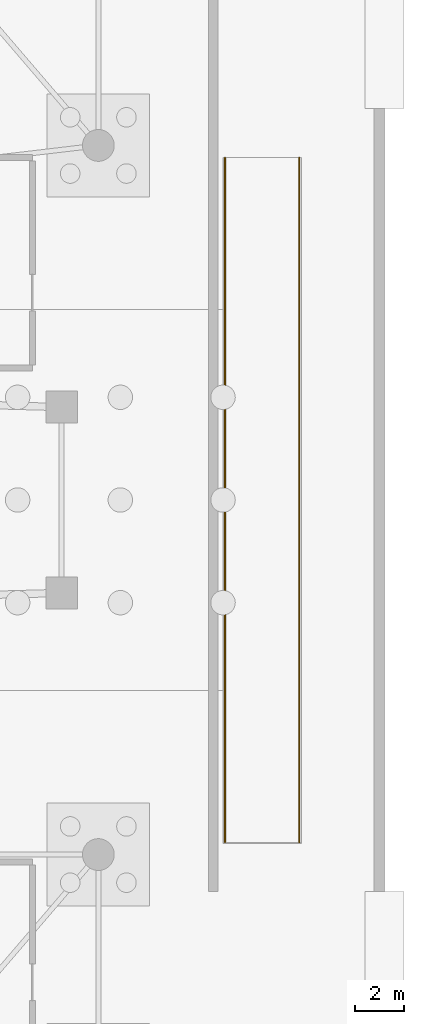
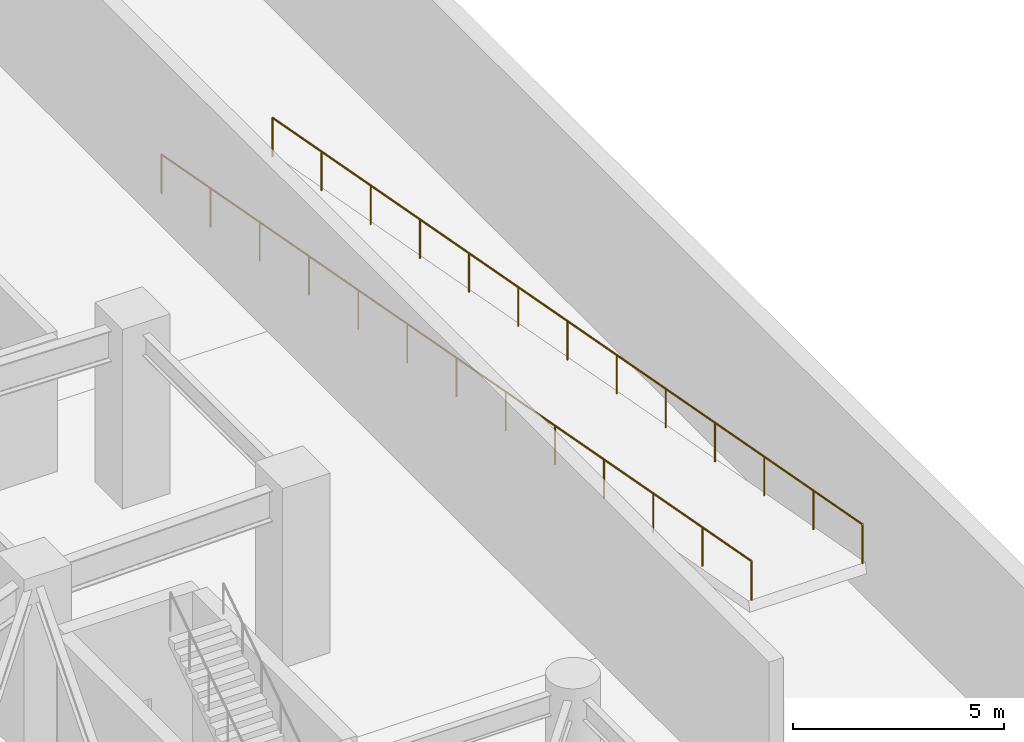
# One storey, part 13 of 14: 2 railings.
"""IFC4 building model written with IfcOpenShell, lengths in metres."""

import ifcopenshell
import ifcopenshell.guid

model = None  # the IFC model being written
_history = None  # IfcOwnerHistory: only IFC2X3 demands one
_inside = {}  # id of a spatial element -> (the spatial element, [elements in it])
_under = {}  # id of a project, library or spatial element -> (it, [spatial elements below it])
_declared = {}  # id of a project -> (the project, [libraries it declares])
_typed = {}  # id of a type object -> (the type object, [elements of that type])
_made_of = {}  # id of a material, layer set ... -> (it, [elements and type objects made of it])


def new_model(schema):
    """Start an empty IFC model of exactly this schema.

    Asked for "IFC4X3", IfcOpenShell would pick the latest addendum, in which some entities
    have other attributes; the version numbers below select the first issue.
    IFC2X3 requires an IfcOwnerHistory on every rooted entity: one is made here for all.
    """
    global model, _history
    if schema == "IFC4X3":
        model = ifcopenshell.file(schema_version=(4, 3, 0, 0))
    else:
        model = ifcopenshell.file(schema=schema)
    _inside.clear()
    _under.clear()
    _declared.clear()
    _typed.clear()
    _made_of.clear()
    _history = None
    if model.schema == "IFC2X3":
        org = make("IfcOrganization", Name="unknown")
        user = make(
            "IfcPersonAndOrganization",
            ThePerson=make("IfcPerson", FamilyName="unknown"),
            TheOrganization=org,
        )
        app = make(
            "IfcApplication",
            ApplicationDeveloper=org,
            Version="unknown",
            ApplicationFullName="unknown",
            ApplicationIdentifier="unknown",
        )
        _history = make(
            "IfcOwnerHistory",
            OwningUser=user,
            OwningApplication=app,
            ChangeAction="ADDED",
            CreationDate=0,
        )
    return model


def make(cls, **values):
    """One entity of the class cls with the attributes given. An attribute that is None is left unset."""
    return model.create_entity(
        cls, **{name: value for name, value in values.items() if value is not None}
    )


def rooted(cls, **values):
    """An entity with a GlobalId (a new one), such as an element, a storey or a relation."""
    return make(cls, GlobalId=ifcopenshell.guid.new(), OwnerHistory=_history, **values)


def si_unit(unit_type, name, prefix=None):
    """IfcSIUnit, for example si_unit("LENGTHUNIT", "METRE", prefix="MILLI")."""
    return make("IfcSIUnit", UnitType=unit_type, Prefix=prefix, Name=name)


def assignment(units):
    """IfcUnitAssignment: the units of a project."""
    return None if units is None else make("IfcUnitAssignment", Units=units)


def point(xyz):
    """IfcCartesianPoint."""
    return None if xyz is None else make("IfcCartesianPoint", Coordinates=xyz)


def direction(xyz):
    """IfcDirection."""
    return None if xyz is None else make("IfcDirection", DirectionRatios=xyz)


def frame(location, z_axis=None, x_axis=None):
    """IfcAxis2Placement3D, a coordinate frame: its origin and axes. An axis left out is left unset."""
    return make(
        "IfcAxis2Placement3D",
        Location=point(location),
        Axis=direction(z_axis),
        RefDirection=direction(x_axis),
    )


def frame_2d(location, x_axis=None):
    """IfcAxis2Placement2D, a coordinate frame in the plane: its origin and x axis."""
    return make(
        "IfcAxis2Placement2D", Location=point(location), RefDirection=direction(x_axis)
    )


def origin():
    """The frame at (0, 0, 0) with its axes left unset."""
    return frame((0.0, 0.0, 0.0))


def origin_2d():
    """The frame at (0, 0) in the plane with its x axis left unset."""
    return frame_2d((0.0, 0.0))


def place(relative_to, where):
    """IfcLocalPlacement: puts the frame where relative to a parent placement (None: the world)."""
    return make(
        "IfcLocalPlacement", PlacementRelTo=relative_to, RelativePlacement=where
    )


def context(
    kind, dimensions, precision=None, world=None, true_north=None, identifier=None
):
    """IfcGeometricRepresentationContext, for example the 3D "Model" context."""
    return make(
        "IfcGeometricRepresentationContext",
        ContextIdentifier=identifier,
        ContextType=kind,
        CoordinateSpaceDimension=dimensions,
        Precision=precision,
        WorldCoordinateSystem=world,
        TrueNorth=true_north,
    )


def subcontext(parent, identifier, kind, view, scale=None):
    """IfcGeometricRepresentationSubContext, for example "Body" below "Model"."""
    return make(
        "IfcGeometricRepresentationSubContext",
        ContextIdentifier=identifier,
        ContextType=kind,
        ParentContext=parent,
        TargetScale=scale,
        TargetView=view,
    )


def project(units=None, contexts=None):
    """IfcProject with its units and contexts."""
    return rooted(
        "IfcProject",
        Name="project",
        RepresentationContexts=contexts,
        UnitsInContext=assignment(units),
    )


def spatial(cls, under=None, at=None, **own):
    """A site, building, storey or space (cls), placed at a placement, below another one or the project."""
    s = rooted(cls, ObjectPlacement=at, **own)
    if under is not None:
        _under.setdefault(under.id(), (under, []))[1].append(s)
    return s


def profile(cls, at=None, kind="AREA", **sizes):
    """A parametric profile (cls). Its sizes go by their IFC names, for example OverallWidth=200.0."""
    return make(cls, ProfileType=kind, Position=at, **sizes)


def circle(**sizes):
    """IfcCircleProfileDef."""
    return profile("IfcCircleProfileDef", **sizes)


def extrude(swept, where, along, depth):
    """IfcExtrudedAreaSolid: the profile swept, set in the frame where, extruded along a direction by depth."""
    return make(
        "IfcExtrudedAreaSolid",
        SweptArea=swept,
        Position=where,
        ExtrudedDirection=direction(along),
        Depth=depth,
    )


def shape(context_of_items, identifier, shape_type, items):
    """IfcShapeRepresentation: the items that make up one representation, for example the "Body"."""
    return make(
        "IfcShapeRepresentation",
        ContextOfItems=context_of_items,
        RepresentationIdentifier=identifier,
        RepresentationType=shape_type,
        Items=items,
    )


def material(Name=None, Category=None):
    """IfcMaterial."""
    return make("IfcMaterial", Name=Name, Category=Category)


def made_of(thing, what):
    """Note that an element or type object is made of a material, layer set ...; save() writes the relation."""
    if what is not None:
        _made_of.setdefault(what.id(), (what, []))[1].append(thing)
    return thing


def type_object(cls, material=None, **own):
    """A type object (cls), such as IfcWallType, which elements share."""
    return made_of(rooted(cls, **own), material)


def element(
    cls,
    number,
    at=None,
    inside=None,
    cuts=None,
    type_object=None,
    material=None,
    context=None,
    identifier="Body",
    shape_type=None,
    held_by="IfcProductDefinitionShape",
    body=None,
    shapes=None,
    **own,
):
    """One element of the class cls, such as IfcWall. Its Tag is "e" and its number.

    at: its placement. inside: the storey or other place that contains it. cuts: it is an
    opening in that element (IfcRelVoidsElement). A single representation is given by context,
    identifier, shape_type and body (its items); several are given by shapes. held_by: the class
    of the entity that holds the representations. save() writes the other relations.
    """
    e = rooted(cls, Tag="e%d" % number, ObjectPlacement=at, **own)
    if body is not None:
        shapes = [shape(context, identifier, shape_type, body)]
    if shapes is not None:
        e.Representation = make(held_by, Representations=shapes)
    if inside is not None:
        _inside.setdefault(inside.id(), (inside, []))[1].append(e)
    if cuts is not None:
        rooted(
            "IfcRelVoidsElement", RelatingBuildingElement=cuts, RelatedOpeningElement=e
        )
    if type_object is not None:
        _typed.setdefault(type_object.id(), (type_object, []))[1].append(e)
    return made_of(e, material)


def aggregate(whole, parts):
    """IfcRelAggregates: a whole, such as a stair, and the parts it consists of."""
    return rooted("IfcRelAggregates", RelatingObject=whole, RelatedObjects=parts)


def save(model, path):
    """Write the relations noted so far, then the file.

    IfcRelAggregates (storeys below a building ...), IfcRelContainedInSpatialStructure (elements
    in a storey), IfcRelDefinesByType, IfcRelAssociatesMaterial and IfcRelDeclares: one each for
    every whole, place, type object, material and project.
    """
    for whole, parts in _under.values():
        aggregate(whole, parts)
    for where, things in _inside.values():
        rooted(
            "IfcRelContainedInSpatialStructure",
            RelatedElements=things,
            RelatingStructure=where,
        )
    for kind, things in _typed.values():
        rooted("IfcRelDefinesByType", RelatedObjects=things, RelatingType=kind)
    for what, things in _made_of.values():
        rooted("IfcRelAssociatesMaterial", RelatedObjects=things, RelatingMaterial=what)
    for by, libraries in _declared.values():
        rooted("IfcRelDeclares", RelatingContext=by, RelatedDefinitions=libraries)
    model.write(path)


model = new_model("IFC4")

# Units and contexts
model_context = context("Model", 3, precision=1e-05, world=origin(), true_north=direction((0.0, 1.0)))
body_context = subcontext(model_context, "Body", "Model", "MODEL_VIEW")
ifc_project = project(units=[si_unit("LENGTHUNIT", "METRE"), si_unit("AREAUNIT", "SQUARE_METRE"), si_unit("VOLUMEUNIT", "CUBIC_METRE"), si_unit("PLANEANGLEUNIT", "RADIAN"), si_unit("MASSUNIT", "GRAM", prefix="KILO")], contexts=[model_context])

# Site, building, storey
site_placement = place(None, origin())
site = spatial("IfcSite", under=ifc_project, at=site_placement, CompositionType="ELEMENT")
building_placement = place(site_placement, origin())
building = spatial("IfcBuilding", under=site, at=building_placement, Name="Qingluan Cross Belvedere", CompositionType="ELEMENT")
storey_placement = place(building_placement, frame((0.0, 0.0, -10.39990234375)))
storey = spatial("IfcBuildingStorey", under=building, at=storey_placement, Name="B2", CompositionType="ELEMENT", Elevation=-10.39990234375)

# Railings
ifc_material = material(Name="Laminated glass and stainless steel balustrade", Category="steel")
railing_type = type_object("IfcRailingType", Name="TerraceGuardBalustrade_1150", PredefinedType="BALUSTRADE", material=ifc_material)
railing_1_placement = place(storey_placement, frame((33.679931640625, 14.0, 0.0)))
element("IfcRailing", 1, at=railing_1_placement, inside=storey, type_object=railing_type, Name="Vehicle ramp side guard VR3-W", PredefinedType="BALUSTRADE", context=body_context, shape_type="SweptSolid", body=[
    extrude(circle(Radius=0.02392578125, at=origin_2d()), frame((0.0, 0.0, 1.1259765625), z_axis=(0.0, -0.983189043875, 0.18259053646), x_axis=(1.0, 0.0, 0.0)), (0.0, 0.0, 1.0), 28.478759765625),
    extrude(circle(Radius=0.02099609375, at=origin_2d()), origin(), (0.0, 0.0, 1.0), 1.101806640625),
    extrude(circle(Radius=0.02099609375, at=origin_2d()), frame((0.0, -2.333251953125, 0.433349609375)), (0.0, 0.0, 1.0), 1.101806640625),
    extrude(circle(Radius=0.02099609375, at=origin_2d()), frame((0.0, -4.666748046875, 0.86669921875)), (0.0, 0.0, 1.0), 1.101806640625),
    extrude(circle(Radius=0.02099609375, at=origin_2d()), frame((0.0, -7.0, 1.300048828125)), (0.0, 0.0, 1.0), 1.101806640625),
    extrude(circle(Radius=0.02099609375, at=origin_2d()), frame((0.0, -9.333251953125, 1.7333984375)), (0.0, 0.0, 1.0), 1.101806640625),
    extrude(circle(Radius=0.02099609375, at=origin_2d()), frame((0.0, -11.666748046875, 2.166748046875)), (0.0, 0.0, 1.0), 1.101806640625),
    extrude(circle(Radius=0.02099609375, at=origin_2d()), frame((0.0, -14.0, 2.60009765625)), (0.0, 0.0, 1.0), 1.101806640625),
    extrude(circle(Radius=0.02099609375, at=origin_2d()), frame((0.0, -16.333251953125, 3.033203125)), (0.0, 0.0, 1.0), 1.101806640625),
    extrude(circle(Radius=0.02099609375, at=origin_2d()), frame((0.0, -18.666748046875, 3.466552734375)), (0.0, 0.0, 1.0), 1.101806640625),
    extrude(circle(Radius=0.02099609375, at=origin_2d()), frame((0.0, -21.0, 3.89990234375)), (0.0, 0.0, 1.0), 1.101806640625),
    extrude(circle(Radius=0.02099609375, at=origin_2d()), frame((0.0, -23.333251953125, 4.333251953125)), (0.0, 0.0, 1.0), 1.101806640625),
    extrude(circle(Radius=0.02099609375, at=origin_2d()), frame((0.0, -25.666748046875, 4.7666015625)), (0.0, 0.0, 1.0), 1.101806640625),
    extrude(circle(Radius=0.02099609375, at=origin_2d()), frame((0.0, -28.0, 5.199951171875)), (0.0, 0.0, 1.0), 1.101806640625),
])
railing_2_placement = place(storey_placement, frame((36.719970703125, 14.0, 0.0)))
element("IfcRailing", 2, at=railing_2_placement, inside=storey, type_object=railing_type, Name="Vehicle ramp side guard VR3-E", PredefinedType="BALUSTRADE", context=body_context, shape_type="SweptSolid", body=[
    extrude(circle(Radius=0.02392578125, at=origin_2d()), frame((0.0, 0.0, 1.1259765625), z_axis=(0.0, -0.983189043875, 0.18259053646), x_axis=(1.0, 0.0, 0.0)), (0.0, 0.0, 1.0), 28.478759765625),
    extrude(circle(Radius=0.02099609375, at=origin_2d()), origin(), (0.0, 0.0, 1.0), 1.101806640625),
    extrude(circle(Radius=0.02099609375, at=origin_2d()), frame((0.0, -2.333251953125, 0.433349609375)), (0.0, 0.0, 1.0), 1.101806640625),
    extrude(circle(Radius=0.02099609375, at=origin_2d()), frame((0.0, -4.666748046875, 0.86669921875)), (0.0, 0.0, 1.0), 1.101806640625),
    extrude(circle(Radius=0.02099609375, at=origin_2d()), frame((0.0, -7.0, 1.300048828125)), (0.0, 0.0, 1.0), 1.101806640625),
    extrude(circle(Radius=0.02099609375, at=origin_2d()), frame((0.0, -9.333251953125, 1.7333984375)), (0.0, 0.0, 1.0), 1.101806640625),
    extrude(circle(Radius=0.02099609375, at=origin_2d()), frame((0.0, -11.666748046875, 2.166748046875)), (0.0, 0.0, 1.0), 1.101806640625),
    extrude(circle(Radius=0.02099609375, at=origin_2d()), frame((0.0, -14.0, 2.60009765625)), (0.0, 0.0, 1.0), 1.101806640625),
    extrude(circle(Radius=0.02099609375, at=origin_2d()), frame((0.0, -16.333251953125, 3.033203125)), (0.0, 0.0, 1.0), 1.101806640625),
    extrude(circle(Radius=0.02099609375, at=origin_2d()), frame((0.0, -18.666748046875, 3.466552734375)), (0.0, 0.0, 1.0), 1.101806640625),
    extrude(circle(Radius=0.02099609375, at=origin_2d()), frame((0.0, -21.0, 3.89990234375)), (0.0, 0.0, 1.0), 1.101806640625),
    extrude(circle(Radius=0.02099609375, at=origin_2d()), frame((0.0, -23.333251953125, 4.333251953125)), (0.0, 0.0, 1.0), 1.101806640625),
    extrude(circle(Radius=0.02099609375, at=origin_2d()), frame((0.0, -25.666748046875, 4.7666015625)), (0.0, 0.0, 1.0), 1.101806640625),
    extrude(circle(Radius=0.02099609375, at=origin_2d()), frame((0.0, -28.0, 5.199951171875)), (0.0, 0.0, 1.0), 1.101806640625),
])

save(model, "model.ifc")
